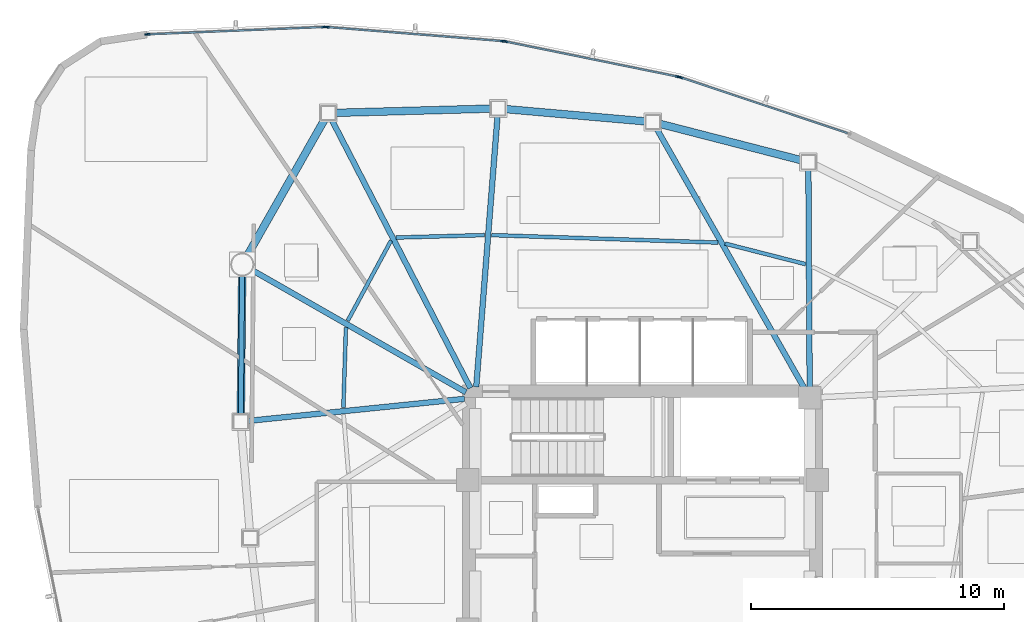
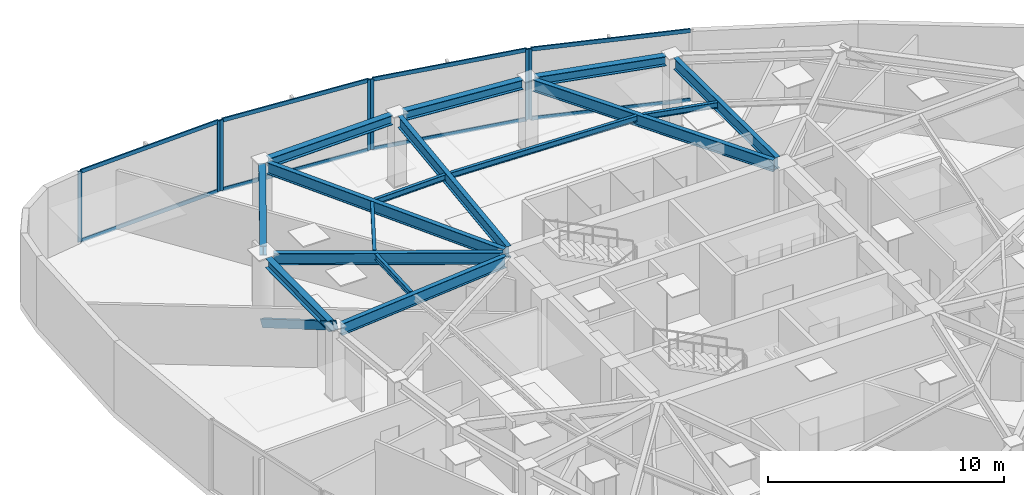
# One storey, part 7 of 15: 16 beams, 16 members, 4 elements without a shape of their own.
"""IFC4 building model written with IfcOpenShell, lengths in metres."""

from ifc_helpers import new_model, si_unit, direction, frame, origin, origin_2d, place, context, subcontext, project, spatial, hollow_rectangle, i_section, extrude, source, transform, mapped, material, layer, layer_set, material_profile, profile_set, type_object, type_shapes, element, aggregate, save


model = new_model("IFC4")

# Units and contexts
model_context = context("Model", 3, precision=1e-05, world=origin(), true_north=direction((0.0, 1.0)))
body_context = subcontext(model_context, "Body", "Model", "MODEL_VIEW")
ifc_project = project(units=[si_unit("LENGTHUNIT", "METRE"), si_unit("AREAUNIT", "SQUARE_METRE"), si_unit("VOLUMEUNIT", "CUBIC_METRE"), si_unit("PLANEANGLEUNIT", "RADIAN"), si_unit("MASSUNIT", "GRAM", prefix="KILO")], contexts=[model_context])

# Site, building, storey
site_placement = place(None, origin())
site = spatial("IfcSite", under=ifc_project, at=site_placement, CompositionType="ELEMENT")
building_placement = place(site_placement, origin())
building = spatial("IfcBuilding", under=site, at=building_placement, Name="Tavelor Broadcast Tower", CompositionType="ELEMENT")
storey_placement = place(building_placement, frame((0.0, 0.0, 230.050048828125)))
storey = spatial("IfcBuildingStorey", under=building, at=storey_placement, Name="L54", CompositionType="ELEMENT", Elevation=230.050048828125)

# Beams
ifc_material_1 = material(Name="Steel S355", Category="steel")
ifc_material_profile_1 = material_profile(ifc_material_1, i_section(OverallWidth=0.14990234375, OverallDepth=0.300048828125, WebThickness=0.007080078125, FlangeThickness=0.0107421875, at=origin_2d()), Name="IPE 300")
ifc_profile_set_1 = profile_set([ifc_material_profile_1], Name="Steel S355")
beam_type_1 = type_object("IfcBeamType", Name="Composite Floor Joist T5 IPE 300", PredefinedType="JOIST", material=ifc_profile_set_1)
beam_1_placement = place(storey_placement, frame((38.289794921875, 53.978515625, 3.5), z_axis=(-0.031859396157, -0.999492360589, 0.0), x_axis=(0.999492360589, -0.031859396157, 0.0)))
element("IfcBeam", 1, at=beam_1_placement, inside=storey, type_object=beam_type_1, Name="L54 Secondary Composite Floor Joist 01", PredefinedType="JOIST", context=body_context, shape_type="SweptSolid", body=[
    extrude(i_section(OverallWidth=0.14990234375, OverallDepth=0.300048828125, WebThickness=0.007080078125, FlangeThickness=0.0107421875, at=origin_2d()), origin(), (0.0, 0.0, 1.0), 3.172607421875),
])
beam_2_placement = place(storey_placement, frame((56.434326171875, 56.4736328125, 3.5), z_axis=(-0.968901023903, 0.247448592399, 0.0), x_axis=(-0.247448592399, -0.968901023903, 0.0)))
element("IfcBeam", 2, at=beam_2_placement, inside=storey, type_object=beam_type_1, Name="L54 Secondary Composite Floor Joist 15", PredefinedType="JOIST", context=body_context, shape_type="SweptSolid", body=[
    extrude(i_section(OverallWidth=0.14990234375, OverallDepth=0.300048828125, WebThickness=0.007080078125, FlangeThickness=0.0107421875, at=origin_2d()), origin(), (0.0, 0.0, 1.0), 3.283447265625),
])
beam_3_placement = place(storey_placement, frame((52.978515625, 57.3251953125, 3.5), z_axis=(-0.999455526468, 0.032994705837, 0.0), x_axis=(-0.032994705837, -0.999455526468, 0.0)))
element("IfcBeam", 3, at=beam_3_placement, inside=storey, type_object=beam_type_1, Name="L54 Secondary Composite Floor Joist 16", PredefinedType="JOIST", context=body_context, shape_type="SweptSolid", body=[
    extrude(i_section(OverallWidth=0.14990234375, OverallDepth=0.300048828125, WebThickness=0.007080078125, FlangeThickness=0.0107421875, at=origin_2d()), origin(), (0.0, 0.0, 1.0), 8.9384765625),
])
beam_4_placement = place(storey_placement, frame((43.76611328125, 57.620849609375, 3.5), z_axis=(-0.999611398275, -0.027875660324, 0.0), x_axis=(0.027875660324, -0.999611398275, 0.0)))
element("IfcBeam", 4, at=beam_4_placement, inside=storey, type_object=beam_type_1, Name="L54 Secondary Composite Floor Joist 17", PredefinedType="JOIST", context=body_context, shape_type="SweptSolid", body=[
    extrude(i_section(OverallWidth=0.14990234375, OverallDepth=0.300048828125, WebThickness=0.007080078125, FlangeThickness=0.0107421875, at=origin_2d()), origin(), (0.0, 0.0, 1.0), 3.49462890625),
])
beam_5_placement = place(storey_placement, frame((40.0673828125, 57.39697265625, 3.5), z_axis=(-0.475640833171, -0.879639584046, 0.0), x_axis=(0.879639584046, -0.475640833171, 0.0)))
element("IfcBeam", 5, at=beam_5_placement, inside=storey, type_object=beam_type_1, Name="L54 Secondary Composite Floor Joist 18", PredefinedType="JOIST", context=body_context, shape_type="SweptSolid", body=[
    extrude(i_section(OverallWidth=0.14990234375, OverallDepth=0.300048828125, WebThickness=0.007080078125, FlangeThickness=0.0107421875, at=origin_2d()), origin(), (0.0, 0.0, 1.0), 3.58837890625),
])
ifc_material_profile_2 = material_profile(ifc_material_1, i_section(OverallWidth=0.300048828125, OverallDepth=0.489990234375, WebThickness=0.011962890625, FlangeThickness=0.02294921875, at=origin_2d()), Name="HEA 500")
ifc_profile_set_2 = profile_set([ifc_material_profile_2], Name="Steel S355")
beam_type_2 = type_object("IfcBeamType", Name="Perimeter Spandrel Beam T5 HEA 500", PredefinedType="SPANDREL", material=ifc_profile_set_2)
beam_6_placement = place(storey_placement, frame((34.192138671875, 56.021240234375, 3.405029296875), z_axis=(-0.009538233347, -0.999954510018, 0.0), x_axis=(0.999954510018, -0.009538233347, 0.0)))
element("IfcBeam", 6, at=beam_6_placement, inside=storey, type_object=beam_type_2, Name="L54 Framed-Tube Ring Spandrel 01", PredefinedType="SPANDREL", context=body_context, shape_type="SweptSolid", body=[
    extrude(i_section(OverallWidth=0.300048828125, OverallDepth=0.489990234375, WebThickness=0.011962890625, FlangeThickness=0.02294921875, at=origin_2d()), origin(), (0.0, 0.0, 1.0), 5.4775390625),
])
beam_7_placement = place(storey_placement, frame((56.2666015625, 60.575927734375, 3.405029296875), z_axis=(-0.968398561847, 0.249407749304, 0.0), x_axis=(-0.249407749304, -0.968398561847, 0.0)))
element("IfcBeam", 7, at=beam_7_placement, inside=storey, type_object=beam_type_2, Name="L54 Framed-Tube Ring Spandrel 15", PredefinedType="SPANDREL", context=body_context, shape_type="SweptSolid", body=[
    extrude(i_section(OverallWidth=0.300048828125, OverallDepth=0.489990234375, WebThickness=0.011962890625, FlangeThickness=0.02294921875, at=origin_2d()), origin(), (0.0, 0.0, 1.0), 5.7626953125),
])
beam_8_placement = place(storey_placement, frame((50.120361328125, 62.110107421875, 3.405029296875), z_axis=(-0.996165524703, 0.087488555787, 0.0), x_axis=(-0.087488555787, -0.996165524703, 0.0)))
element("IfcBeam", 8, at=beam_8_placement, inside=storey, type_object=beam_type_2, Name="L54 Framed-Tube Ring Spandrel 16", PredefinedType="SPANDREL", context=body_context, shape_type="SweptSolid", body=[
    extrude(i_section(OverallWidth=0.300048828125, OverallDepth=0.489990234375, WebThickness=0.011962890625, FlangeThickness=0.02294921875, at=origin_2d()), origin(), (0.0, 0.0, 1.0), 5.555908203125),
])
beam_9_placement = place(storey_placement, frame((44.010986328125, 62.613525390625, 3.405029296875), z_axis=(-0.999631563069, -0.027142920174, 0.0), x_axis=(0.027142920174, -0.999631563069, 0.0)))
element("IfcBeam", 9, at=beam_9_placement, inside=storey, type_object=beam_type_2, Name="L54 Framed-Tube Ring Spandrel 17", PredefinedType="SPANDREL", context=body_context, shape_type="SweptSolid", body=[
    extrude(i_section(OverallWidth=0.300048828125, OverallDepth=0.489990234375, WebThickness=0.011962890625, FlangeThickness=0.02294921875, at=origin_2d()), origin(), (0.0, 0.0, 1.0), 6.13427734375),
])
beam_10_placement = place(storey_placement, frame((37.44873046875, 62.188720703125, 3.405029296875), z_axis=(-0.49368262273, -0.869642149401, 0.0), x_axis=(0.869642149401, -0.49368262273, 0.0)))
element("IfcBeam", 10, at=beam_10_placement, inside=storey, type_object=beam_type_2, Name="L54 Framed-Tube Ring Spandrel 18", PredefinedType="SPANDREL", context=body_context, shape_type="SweptSolid", body=[
    extrude(i_section(OverallWidth=0.300048828125, OverallDepth=0.489990234375, WebThickness=0.011962890625, FlangeThickness=0.02294921875, at=origin_2d()), origin(), (0.0, 0.0, 1.0), 6.14892578125),
])

# Member
ifc_material_profile_3 = material_profile(ifc_material_1, hollow_rectangle(XDim=0.199951171875, YDim=0.39990234375, WallThickness=0.01611328125, at=origin_2d()), Name="RHS 400x200x16")
ifc_profile_set_3 = profile_set([ifc_material_profile_3], Name="Steel S355")
member_type_1 = type_object("IfcMemberType", Name="Perimeter Tube Brace T5 RHS 400x200x16", PredefinedType="BRACE", material=ifc_profile_set_3)
member_1_placement = place(storey_placement, frame((34.1962890625, 56.4599609375, 0.0), z_axis=(-0.008207725636, -0.861879024195, 0.507047513447), x_axis=(0.999954658748, -0.009522628184, 0.0)))
element("IfcMember", 11, at=member_1_placement, inside=storey, type_object=member_type_1, Name="L54 Corner Tube Diagonal Brace 1", PredefinedType="BRACE", context=body_context, shape_type="SweptSolid", body=[
    extrude(hollow_rectangle(XDim=0.199951171875, YDim=0.39990234375, WallThickness=0.01611328125, at=origin_2d()), origin(), (0.0, 0.0, 1.0), 7.1982421875),
])

# Beams
ifc_material_profile_4 = material_profile(ifc_material_1, i_section(OverallWidth=0.219970703125, OverallDepth=0.60009765625, WebThickness=0.011962890625, FlangeThickness=0.01904296875, at=origin_2d()), Name="IPE 600")
ifc_profile_set_4 = profile_set([ifc_material_profile_4], Name="Steel S355")
beam_type_3 = type_object("IfcBeamType", Name="Radial Floor Girder T5 IPE 600", PredefinedType="BEAM", material=ifc_profile_set_4)
beam_11_placement = place(storey_placement, frame((43.02490234375, 51.414306640625, 3.349853515625), z_axis=(-0.868210713595, 0.496195683979, 0.0), x_axis=(-0.496195683979, -0.868210713595, 0.0)))
element("IfcBeam", 12, at=beam_11_placement, inside=storey, type_object=beam_type_3, Name="L54 Radial Primary Floor Girder 01", PredefinedType="BEAM", context=body_context, shape_type="SweptSolid", body=[
    extrude(i_section(OverallWidth=0.219970703125, OverallDepth=0.60009765625, WebThickness=0.011962890625, FlangeThickness=0.01904296875, at=origin_2d()), origin(), (0.0, 0.0, 1.0), 9.729736328125),
])
beam_12_placement = place(storey_placement, frame((42.97021484375, 51.15625, 3.349853515625), z_axis=(-0.994846025553, -0.101397166829, 0.0), x_axis=(0.101397166829, -0.994846025553, 0.0)))
element("IfcBeam", 13, at=beam_12_placement, inside=storey, type_object=beam_type_3, Name="L54 Radial Primary Floor Girder 02", PredefinedType="BEAM", context=body_context, shape_type="SweptSolid", body=[
    extrude(i_section(OverallWidth=0.219970703125, OverallDepth=0.60009765625, WebThickness=0.011962890625, FlangeThickness=0.01904296875, at=origin_2d()), origin(), (0.0, 0.0, 1.0), 8.5908203125),
])
beam_13_placement = place(storey_placement, frame((56.597412109375, 51.632080078125, 3.349853515625), z_axis=(-0.005830390092, 0.999983003131, 0.0), x_axis=(-0.999983003131, -0.005830390092, 0.0)))
element("IfcBeam", 14, at=beam_13_placement, inside=storey, type_object=beam_type_3, Name="L54 Radial Primary Floor Girder 15", PredefinedType="BEAM", context=body_context, shape_type="SweptSolid", body=[
    extrude(i_section(OverallWidth=0.219970703125, OverallDepth=0.60009765625, WebThickness=0.011962890625, FlangeThickness=0.01904296875, at=origin_2d()), origin(), (0.0, 0.0, 1.0), 8.584228515625),
])
beam_14_placement = place(storey_placement, frame((56.386474609375, 51.575439453125, 3.349853515625), z_axis=(-0.49450754608, 0.869173335342, 0.0), x_axis=(-0.869173335342, -0.49450754608, 0.0)))
element("IfcBeam", 15, at=beam_14_placement, inside=storey, type_object=beam_type_3, Name="L54 Radial Primary Floor Girder 16", PredefinedType="BEAM", context=body_context, shape_type="SweptSolid", body=[
    extrude(i_section(OverallWidth=0.219970703125, OverallDepth=0.60009765625, WebThickness=0.011962890625, FlangeThickness=0.01904296875, at=origin_2d()), origin(), (0.0, 0.0, 1.0), 11.803466796875),
])
beam_15_placement = place(storey_placement, frame((43.433837890625, 51.630615234375, 3.349853515625), z_axis=(0.078449146994, 0.996918116666, 0.0), x_axis=(-0.996918116666, 0.078449146994, 0.0)))
element("IfcBeam", 16, at=beam_15_placement, inside=storey, type_object=beam_type_3, Name="L54 Radial Primary Floor Girder 17", PredefinedType="BEAM", context=body_context, shape_type="SweptSolid", body=[
    extrude(i_section(OverallWidth=0.219970703125, OverallDepth=0.60009765625, WebThickness=0.011962890625, FlangeThickness=0.01904296875, at=origin_2d()), origin(), (0.0, 0.0, 1.0), 10.73681640625),
])
beam_16_placement = place(storey_placement, frame((43.20166015625, 51.583740234375, 3.349853515625), z_axis=(-0.459155708723, 0.888355804364, 0.0), x_axis=(-0.888355804364, -0.459155708723, 0.0)))
element("IfcBeam", 17, at=beam_16_placement, inside=storey, type_object=beam_type_3, Name="L54 Radial Primary Floor Girder 18", PredefinedType="BEAM", context=body_context, shape_type="SweptSolid", body=[
    extrude(i_section(OverallWidth=0.219970703125, OverallDepth=0.60009765625, WebThickness=0.011962890625, FlangeThickness=0.01904296875, at=origin_2d()), origin(), (0.0, 0.0, 1.0), 11.931640625),
])

# Curtain wall, member
ifc_material_2 = material(Name="Architectural Anodized Aluminium", Category="aluminium")
ifc_layer = layer(ifc_material_2, 0.199951171875)
ifc_layer_set = layer_set([ifc_layer], Name="Architectural Anodized Aluminium")
curtain_wall_type = type_object("IfcCurtainWallType", Name="Tower High-Zone Triple-Glazed Curtain Wall CW04", PredefinedType="NOTDEFINED", material=ifc_layer_set)
curtain_wall_1_placement = place(storey_placement, origin())
curtain_wall_1 = element("IfcCurtainWall", 18, at=curtain_wall_1_placement, inside=storey, type_object=curtain_wall_type, Name="L54 Curtain Wall CW04 Run 585", PredefinedType="NOTDEFINED")
ifc_material_profile_5 = material_profile(ifc_material_2, hollow_rectangle(XDim=0.070068359375, YDim=0.199951171875, WallThickness=0.02197265625, at=origin_2d()), Name="RHS 70x200x22")
ifc_profile_set_5 = profile_set([ifc_material_profile_5], Name="Architectural Anodized Aluminium")
member_type_2 = type_object("IfcMemberType", Name="CW04 Extruded Aluminium Mullion 70x200", PredefinedType="MULLION", material=ifc_profile_set_5)
shared_shape_1 = source(origin(), body_context, "Body", "SweptSolid", [
    extrude(hollow_rectangle(XDim=0.070068359375, YDim=0.199951171875, WallThickness=0.02197265625, at=origin_2d()), origin(), (0.0, 0.0, 1.0), 3.64990234375),
])
type_shapes(member_type_2, [shared_shape_1])
member_2_placement = place(storey_placement, frame((51.50146484375, 63.845947265625, 0.0), z_axis=(0.0, 0.0, 1.0), x_axis=(-0.316899739274, -0.948459042473, 0.0)))
member_2 = element("IfcMember", 19, at=member_2_placement, type_object=member_type_2, Name="CW04 mullion 2", PredefinedType="MULLION", context=body_context, shape_type="MappedRepresentation", body=[
    mapped(shared_shape_1, transform((0.0, 0.0, 0.0), scale=1.0)),
])

# Curtain wall, members
curtain_wall_2_placement = place(storey_placement, origin())
curtain_wall_2 = element("IfcCurtainWall", 20, at=curtain_wall_2_placement, inside=storey, type_object=curtain_wall_type, Name="L54 Curtain Wall CW04 Run 586", PredefinedType="NOTDEFINED")
member_3_placement = place(storey_placement, frame((51.405029296875, 63.87158203125, 0.0), z_axis=(0.0, 0.0, 1.0), x_axis=(-0.199787136629, -0.979839323582, 0.0)))
member_3 = element("IfcMember", 21, at=member_3_placement, type_object=member_type_2, Name="CW04 mullion 1", PredefinedType="MULLION", context=body_context, shape_type="MappedRepresentation", body=[
    mapped(shared_shape_1, transform((0.0, 0.0, 0.0), scale=1.0)),
])
member_4_placement = place(storey_placement, frame((44.577392578125, 65.263916015625, 0.0), z_axis=(0.0, 0.0, 1.0), x_axis=(-0.199787136629, -0.979839323582, 0.0)))
member_4 = element("IfcMember", 22, at=member_4_placement, type_object=member_type_2, Name="CW04 mullion 2", PredefinedType="MULLION", context=body_context, shape_type="MappedRepresentation", body=[
    mapped(shared_shape_1, transform((0.0, 0.0, 0.0), scale=1.0)),
])

curtain_wall_3_placement = place(storey_placement, origin())
curtain_wall_3 = element("IfcCurtainWall", 23, at=curtain_wall_3_placement, inside=storey, type_object=curtain_wall_type, Name="L54 Curtain Wall CW04 Run 587", PredefinedType="NOTDEFINED")
member_5_placement = place(storey_placement, frame((44.478515625, 65.27783203125, 0.0), z_axis=(0.0, 0.0, 1.0), x_axis=(-0.079767811658, -0.996813471129, 0.0)))
member_5 = element("IfcMember", 24, at=member_5_placement, type_object=member_type_2, Name="CW04 mullion 1", PredefinedType="MULLION", context=body_context, shape_type="MappedRepresentation", body=[
    mapped(shared_shape_1, transform((0.0, 0.0, 0.0), scale=1.0)),
])
member_6_placement = place(storey_placement, frame((37.532958984375, 65.83349609375, 0.0), z_axis=(0.0, 0.0, 1.0), x_axis=(-0.079767811658, -0.996813471129, 0.0)))
member_6 = element("IfcMember", 25, at=member_6_placement, type_object=member_type_2, Name="CW04 mullion 2", PredefinedType="MULLION", context=body_context, shape_type="MappedRepresentation", body=[
    mapped(shared_shape_1, transform((0.0, 0.0, 0.0), scale=1.0)),
])

curtain_wall_4_placement = place(storey_placement, origin())
curtain_wall_4 = element("IfcCurtainWall", 26, at=curtain_wall_4_placement, inside=storey, type_object=curtain_wall_type, Name="L54 Curtain Wall CW04 Run 588", PredefinedType="NOTDEFINED")
member_7_placement = place(storey_placement, frame((37.43310546875, 65.83544921875, 0.0), z_axis=(0.0, 0.0, 1.0), x_axis=(0.041466616218, -0.999139889975, 0.0)))
member_7 = element("IfcMember", 27, at=member_7_placement, type_object=member_type_2, Name="CW04 mullion 1", PredefinedType="MULLION", context=body_context, shape_type="MappedRepresentation", body=[
    mapped(shared_shape_1, transform((0.0, 0.0, 0.0), scale=1.0)),
])
member_8_placement = place(storey_placement, frame((30.455078125, 65.5458984375, 0.0), z_axis=(0.0, 0.0, 1.0), x_axis=(0.041466616218, -0.999139889975, 0.0)))
member_8 = element("IfcMember", 28, at=member_8_placement, type_object=member_type_2, Name="CW04 mullion 2", PredefinedType="MULLION", context=body_context, shape_type="MappedRepresentation", body=[
    mapped(shared_shape_1, transform((0.0, 0.0, 0.0), scale=1.0)),
])

# Member
ifc_material_profile_6 = material_profile(ifc_material_2, hollow_rectangle(XDim=0.070068359375, YDim=0.199951171875, WallThickness=0.02197265625, at=origin_2d()), Name="RHS 70x200x22")
ifc_profile_set_6 = profile_set([ifc_material_profile_6], Name="Architectural Anodized Aluminium")
member_type_3 = type_object("IfcMemberType", Name="CW04 Extruded Aluminium Transom 70x200", PredefinedType="USERDEFINED", material=ifc_profile_set_6)
shared_shape_2 = source(origin(), body_context, "Body", "SweptSolid", [
    extrude(hollow_rectangle(XDim=0.070068359375, YDim=0.199951171875, WallThickness=0.02197265625, at=origin_2d()), origin(), (0.0, 0.0, 1.0), 6.89794921875),
])
member_9_placement = place(storey_placement, frame((51.37060546875, 63.878662109375, 0.034912109375), z_axis=(-0.97983730194, 0.199797051346, 0.0), x_axis=(-0.199797051346, -0.97983730194, 0.0)))
member_9 = element("IfcMember", 29, at=member_9_placement, type_object=member_type_3, Name="CW04 transom 1.1", ObjectType="TRANSOM", PredefinedType="USERDEFINED", context=body_context, shape_type="MappedRepresentation", body=[
    mapped(shared_shape_2, transform((0.0, 0.0, 0.0), scale=1.0)),
])

member_10_placement = place(storey_placement, frame((51.37060546875, 63.878662109375, 3.614990234375), z_axis=(-0.97983730194, 0.199797051346, 0.0), x_axis=(-0.199797051346, -0.97983730194, 0.0)))
member_10 = element("IfcMember", 30, at=member_10_placement, type_object=member_type_3, Name="CW04 transom 1.2", ObjectType="TRANSOM", PredefinedType="USERDEFINED", context=body_context, shape_type="MappedRepresentation", body=[
    mapped(shared_shape_2, transform((0.0, 0.0, 0.0), scale=1.0)),
])

aggregate(curtain_wall_2, [member_3, member_4, member_9, member_10])

shared_shape_3 = source(origin(), body_context, "Body", "SweptSolid", [
    extrude(hollow_rectangle(XDim=0.070068359375, YDim=0.199951171875, WallThickness=0.02197265625, at=origin_2d()), origin(), (0.0, 0.0, 1.0), 6.912841796875),
])
member_11_placement = place(storey_placement, frame((58.09130859375, 61.64404296875, 0.034912109375), z_axis=(-0.948460569133, 0.316895170049, 0.0), x_axis=(-0.316895170049, -0.948460569133, 0.0)))
member_11 = element("IfcMember", 31, at=member_11_placement, type_object=member_type_3, Name="CW04 transom 1.1", ObjectType="TRANSOM", PredefinedType="USERDEFINED", context=body_context, shape_type="MappedRepresentation", body=[
    mapped(shared_shape_3, transform((0.0, 0.0, 0.0), scale=1.0)),
])

member_12_placement = place(storey_placement, frame((58.09130859375, 61.64404296875, 3.614990234375), z_axis=(-0.948460569133, 0.316895170049, 0.0), x_axis=(-0.316895170049, -0.948460569133, 0.0)))
member_12 = element("IfcMember", 32, at=member_12_placement, type_object=member_type_3, Name="CW04 transom 1.2", ObjectType="TRANSOM", PredefinedType="USERDEFINED", context=body_context, shape_type="MappedRepresentation", body=[
    mapped(shared_shape_3, transform((0.0, 0.0, 0.0), scale=1.0)),
])

aggregate(curtain_wall_1, [member_2, member_11, member_12])

shared_shape_4 = source(origin(), body_context, "Body", "SweptSolid", [
    extrude(hollow_rectangle(XDim=0.070068359375, YDim=0.199951171875, WallThickness=0.02197265625, at=origin_2d()), origin(), (0.0, 0.0, 1.0), 6.897705078125),
])
member_13_placement = place(storey_placement, frame((44.443603515625, 65.280517578125, 0.034912109375), z_axis=(-0.996812576961, 0.079778984784, 0.0), x_axis=(-0.079778984784, -0.996812576961, 0.0)))
member_13 = element("IfcMember", 33, at=member_13_placement, type_object=member_type_3, Name="CW04 transom 1.1", ObjectType="TRANSOM", PredefinedType="USERDEFINED", context=body_context, shape_type="MappedRepresentation", body=[
    mapped(shared_shape_4, transform((0.0, 0.0, 0.0), scale=1.0)),
])

member_14_placement = place(storey_placement, frame((44.443603515625, 65.280517578125, 3.614990234375), z_axis=(-0.996812576961, 0.079778984784, 0.0), x_axis=(-0.079778984784, -0.996812576961, 0.0)))
member_14 = element("IfcMember", 34, at=member_14_placement, type_object=member_type_3, Name="CW04 transom 1.2", ObjectType="TRANSOM", PredefinedType="USERDEFINED", context=body_context, shape_type="MappedRepresentation", body=[
    mapped(shared_shape_4, transform((0.0, 0.0, 0.0), scale=1.0)),
])

aggregate(curtain_wall_3, [member_5, member_6, member_13, member_14])

shared_shape_5 = source(origin(), body_context, "Body", "SweptSolid", [
    extrude(hollow_rectangle(XDim=0.070068359375, YDim=0.199951171875, WallThickness=0.02197265625, at=origin_2d()), origin(), (0.0, 0.0, 1.0), 6.91357421875),
])
type_shapes(member_type_3, [shared_shape_2, shared_shape_3, shared_shape_4, shared_shape_5])
member_15_placement = place(storey_placement, frame((37.39794921875, 65.833984375, 0.034912109375), z_axis=(-0.999140279741, -0.041457223737, 0.0), x_axis=(0.041457223737, -0.999140279741, 0.0)))
member_15 = element("IfcMember", 35, at=member_15_placement, type_object=member_type_3, Name="CW04 transom 1.1", ObjectType="TRANSOM", PredefinedType="USERDEFINED", context=body_context, shape_type="MappedRepresentation", body=[
    mapped(shared_shape_5, transform((0.0, 0.0, 0.0), scale=1.0)),
])

member_16_placement = place(storey_placement, frame((37.39794921875, 65.833984375, 3.614990234375), z_axis=(-0.999140279741, -0.041457223737, 0.0), x_axis=(0.041457223737, -0.999140279741, 0.0)))
member_16 = element("IfcMember", 36, at=member_16_placement, type_object=member_type_3, Name="CW04 transom 1.2", ObjectType="TRANSOM", PredefinedType="USERDEFINED", context=body_context, shape_type="MappedRepresentation", body=[
    mapped(shared_shape_5, transform((0.0, 0.0, 0.0), scale=1.0)),
])

aggregate(curtain_wall_4, [member_7, member_8, member_15, member_16])

save(model, "model.ifc")
